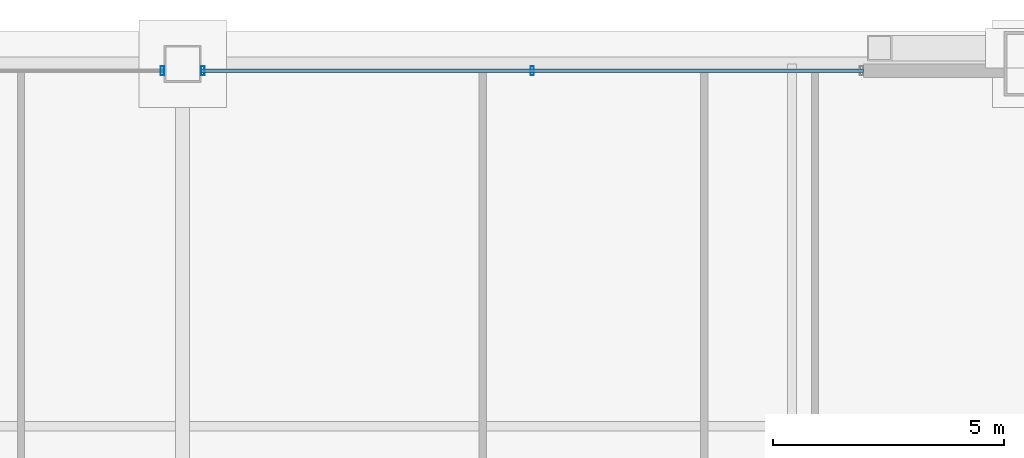
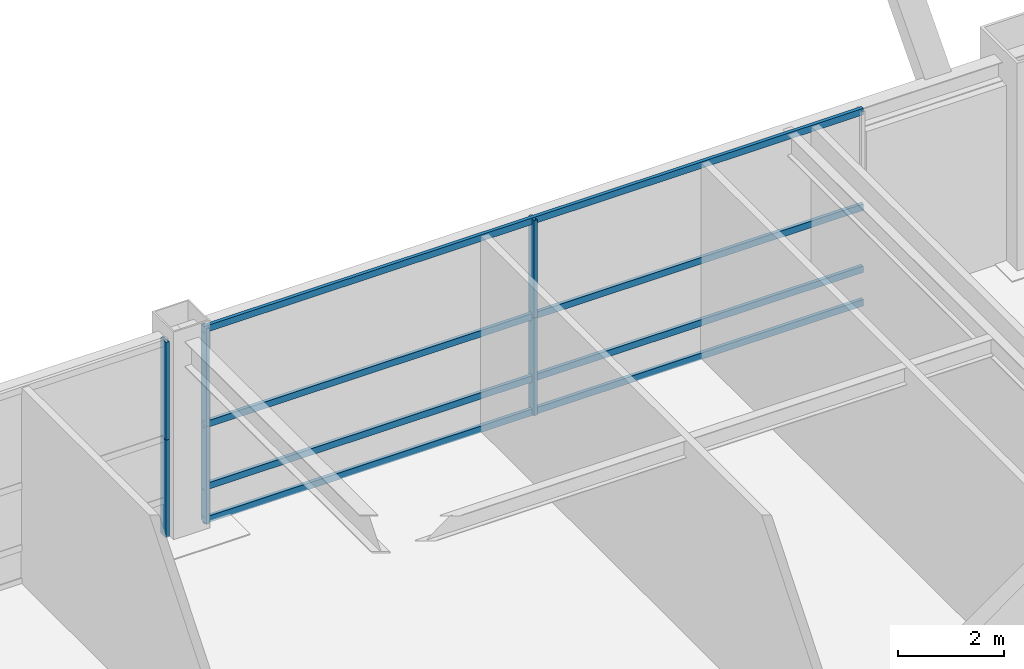
# One storey, part 26 of 34: 10 members, 2 elements without a shape of their own.
"""IFC4 building model written with IfcOpenShell, lengths in metres."""

from ifc_helpers import new_model, si_unit, direction, frame, origin, origin_2d, place, context, subcontext, project, spatial, hollow_rectangle, extrude, source, transform, mapped, material, layer, layer_set, material_profile, profile_set, type_object, element, aggregate, save


model = new_model("IFC4")

# Units and contexts
model_context = context("Model", 3, precision=1e-05, world=origin(), true_north=direction((0.0, 1.0)))
body_context = subcontext(model_context, "Body", "Model", "MODEL_VIEW")
ifc_project = project(units=[si_unit("LENGTHUNIT", "METRE"), si_unit("AREAUNIT", "SQUARE_METRE"), si_unit("VOLUMEUNIT", "CUBIC_METRE"), si_unit("PLANEANGLEUNIT", "RADIAN"), si_unit("MASSUNIT", "GRAM", prefix="KILO"), si_unit("THERMODYNAMICTEMPERATUREUNIT", "KELVIN"), si_unit("POWERUNIT", "WATT")], contexts=[model_context])

# Site, building, storey
site_placement = place(None, origin())
site = spatial("IfcSite", under=ifc_project, at=site_placement, CompositionType="ELEMENT")
building_placement = place(site_placement, origin())
building = spatial("IfcBuilding", under=site, at=building_placement, Name="Yuzanri Waterfront Tower", CompositionType="ELEMENT")
storey_placement = place(building_placement, frame((0.0, 0.0, 166.800048828125)))
storey = spatial("IfcBuildingStorey", under=building, at=storey_placement, Name="L44", CompositionType="ELEMENT", Elevation=166.800048828125)

# Curtain wall, members
ifc_material_1 = material(Name="Anodized Architectural Bronze", Category="metal")
ifc_layer = layer(ifc_material_1, 0.159912109375)
ifc_layer_set = layer_set([ifc_layer], Name="Anodized Architectural Bronze")
curtain_wall_type = type_object("IfcCurtainWallType", Name="Anodized Bronze Sky-Lobby Triple-Glazed Feature Curtain Wall 7500", PredefinedType="NOTDEFINED", material=ifc_layer_set)
curtain_wall_1_placement = place(storey_placement, origin())
curtain_wall_1 = element("IfcCurtainWall", 1, at=curtain_wall_1_placement, inside=storey, type_object=curtain_wall_type, Name="L44 Curtain Wall CW-L44-NL", PredefinedType="NOTDEFINED")
ifc_material_2 = material(Name="Anodized Architectural Bronze", Category="metal")
ifc_material_profile_1 = material_profile(ifc_material_2, hollow_rectangle(XDim=0.074951171875, YDim=0.199951171875, WallThickness=0.00390625, at=origin_2d()), Name="CWM 75x200")
ifc_profile_set_1 = profile_set([ifc_material_profile_1], Name="Anodized Architectural Bronze")
member_type_1 = type_object("IfcMemberType", Name="Anodized Bronze Primary Curtain-Wall Mullion 75x200", PredefinedType="MULLION", material=ifc_profile_set_1)
shared_shape_1 = source(origin(), body_context, "Body", "SweptSolid", [
    extrude(hollow_rectangle(XDim=0.074951171875, YDim=0.199951171875, WallThickness=0.00390625, at=origin_2d()), origin(), (0.0, 0.0, 1.0), 2.248046875),
])
member_1_placement = place(storey_placement, frame((36.56005859375, 47.75, 0.0), z_axis=(0.0, 0.0, 1.0), x_axis=(1.0, 0.0, 0.0)))
member_1 = element("IfcMember", 2, at=member_1_placement, type_object=member_type_1, Name="CW-L44-NL Lower Mullion 02", PredefinedType="MULLION", context=body_context, shape_type="MappedRepresentation", body=[
    mapped(shared_shape_1, transform((0.0, 0.0, 0.0), scale=1.0)),
])
member_2_placement = place(storey_placement, frame((36.56005859375, 47.75, 2.251953125), z_axis=(0.0, 0.0, 1.0), x_axis=(1.0, 0.0, 0.0)))
member_2 = element("IfcMember", 3, at=member_2_placement, type_object=member_type_1, Name="CW-L44-NL Upper Mullion 02", PredefinedType="MULLION", context=body_context, shape_type="MappedRepresentation", body=[
    mapped(shared_shape_1, transform((0.0, 0.0, 0.0), scale=1.0)),
])
aggregate(curtain_wall_1, [member_1, member_2])

curtain_wall_2_placement = place(storey_placement, origin())
curtain_wall_2 = element("IfcCurtainWall", 4, at=curtain_wall_2_placement, inside=storey, type_object=curtain_wall_type, Name="L44 Curtain Wall CW-L44-NR", PredefinedType="NOTDEFINED")
member_3_placement = place(storey_placement, frame((37.43994140625, 47.75, 0.0), z_axis=(0.0, 0.0, 1.0), x_axis=(1.0, 0.0, 0.0)))
member_3 = element("IfcMember", 5, at=member_3_placement, type_object=member_type_1, Name="CW-L44-NR Lower Mullion 00", PredefinedType="MULLION", context=body_context, shape_type="MappedRepresentation", body=[
    mapped(shared_shape_1, transform((0.0, 0.0, 0.0), scale=1.0)),
])
member_4_placement = place(storey_placement, frame((37.43994140625, 47.75, 2.251953125), z_axis=(0.0, 0.0, 1.0), x_axis=(1.0, 0.0, 0.0)))
member_4 = element("IfcMember", 6, at=member_4_placement, type_object=member_type_1, Name="CW-L44-NR Upper Mullion 00", PredefinedType="MULLION", context=body_context, shape_type="MappedRepresentation", body=[
    mapped(shared_shape_1, transform((0.0, 0.0, 0.0), scale=1.0)),
])
member_5_placement = place(storey_placement, frame((44.574951171875, 47.75, 0.0), z_axis=(0.0, 0.0, 1.0), x_axis=(1.0, 0.0, 0.0)))
member_5 = element("IfcMember", 7, at=member_5_placement, type_object=member_type_1, Name="CW-L44-NR Lower Mullion 01", PredefinedType="MULLION", context=body_context, shape_type="MappedRepresentation", body=[
    mapped(shared_shape_1, transform((0.0, 0.0, 0.0), scale=1.0)),
])
member_6_placement = place(storey_placement, frame((44.574951171875, 47.75, 2.251953125), z_axis=(0.0, 0.0, 1.0), x_axis=(1.0, 0.0, 0.0)))
member_6 = element("IfcMember", 8, at=member_6_placement, type_object=member_type_1, Name="CW-L44-NR Upper Mullion 01", PredefinedType="MULLION", context=body_context, shape_type="MappedRepresentation", body=[
    mapped(shared_shape_1, transform((0.0, 0.0, 0.0), scale=1.0)),
])
ifc_material_3 = material(Name="Anodized Architectural Bronze", Category="metal")
ifc_material_profile_2 = material_profile(ifc_material_3, hollow_rectangle(XDim=0.074951171875, YDim=0.14990234375, WallThickness=0.00390625, at=origin_2d()), Name="CWT 75x150")
ifc_profile_set_2 = profile_set([ifc_material_profile_2], Name="Anodized Architectural Bronze")
member_type_2 = type_object("IfcMemberType", Name="Anodized Bronze Primary Curtain-Wall Transom 75x150", PredefinedType="USERDEFINED", material=ifc_profile_set_2)
shared_shape_2 = source(origin(), body_context, "Body", "SweptSolid", [
    extrude(hollow_rectangle(XDim=0.074951171875, YDim=0.14990234375, WallThickness=0.00390625, at=origin_2d()), origin(), (0.0, 0.0, 1.0), 14.35009765625),
])
member_7_placement = place(storey_placement, frame((37.39990234375, 47.75, 0.050048828125), z_axis=(1.0, 0.0, 0.0), x_axis=(0.0, 1.0, 0.0)))
member_7 = element("IfcMember", 9, at=member_7_placement, type_object=member_type_2, Name="CW-L44-NR Transom 1", ObjectType="TRANSOM", PredefinedType="USERDEFINED", context=body_context, shape_type="MappedRepresentation", body=[
    mapped(shared_shape_2, transform((0.0, 0.0, 0.0), scale=1.0)),
])
member_8_placement = place(storey_placement, frame((37.39990234375, 47.75, 0.820068359375), z_axis=(1.0, 0.0, 0.0), x_axis=(0.0, 1.0, 0.0)))
member_8 = element("IfcMember", 10, at=member_8_placement, type_object=member_type_2, Name="CW-L44-NR Transom 2", ObjectType="TRANSOM", PredefinedType="USERDEFINED", context=body_context, shape_type="MappedRepresentation", body=[
    mapped(shared_shape_2, transform((0.0, 0.0, 0.0), scale=1.0)),
])
member_9_placement = place(storey_placement, frame((37.39990234375, 47.75, 2.25), z_axis=(1.0, 0.0, 0.0), x_axis=(0.0, 1.0, 0.0)))
member_9 = element("IfcMember", 11, at=member_9_placement, type_object=member_type_2, Name="CW-L44-NR Transom 3", ObjectType="TRANSOM", PredefinedType="USERDEFINED", context=body_context, shape_type="MappedRepresentation", body=[
    mapped(shared_shape_2, transform((0.0, 0.0, 0.0), scale=1.0)),
])
member_10_placement = place(storey_placement, frame((37.39990234375, 47.75, 4.449951171875), z_axis=(1.0, 0.0, 0.0), x_axis=(0.0, 1.0, 0.0)))
member_10 = element("IfcMember", 12, at=member_10_placement, type_object=member_type_2, Name="CW-L44-NR Transom 4", ObjectType="TRANSOM", PredefinedType="USERDEFINED", context=body_context, shape_type="MappedRepresentation", body=[
    mapped(shared_shape_2, transform((0.0, 0.0, 0.0), scale=1.0)),
])
aggregate(curtain_wall_2, [member_3, member_4, member_5, member_6, member_7, member_8, member_9, member_10])

save(model, "model.ifc")
